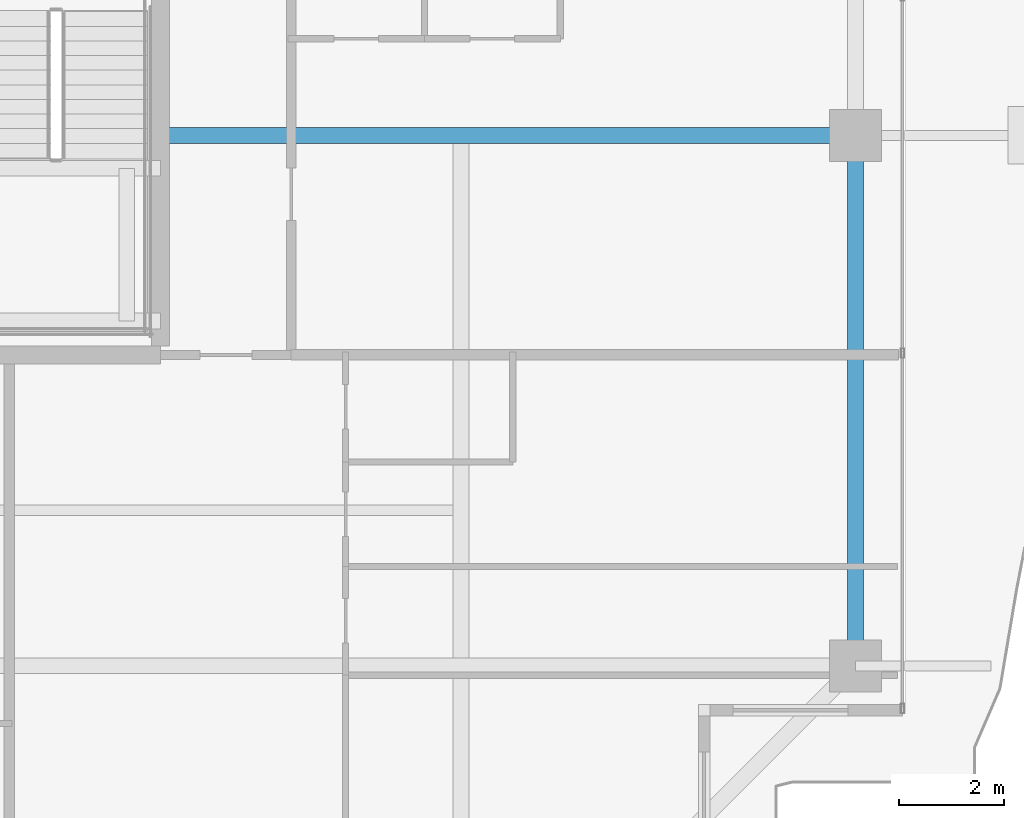
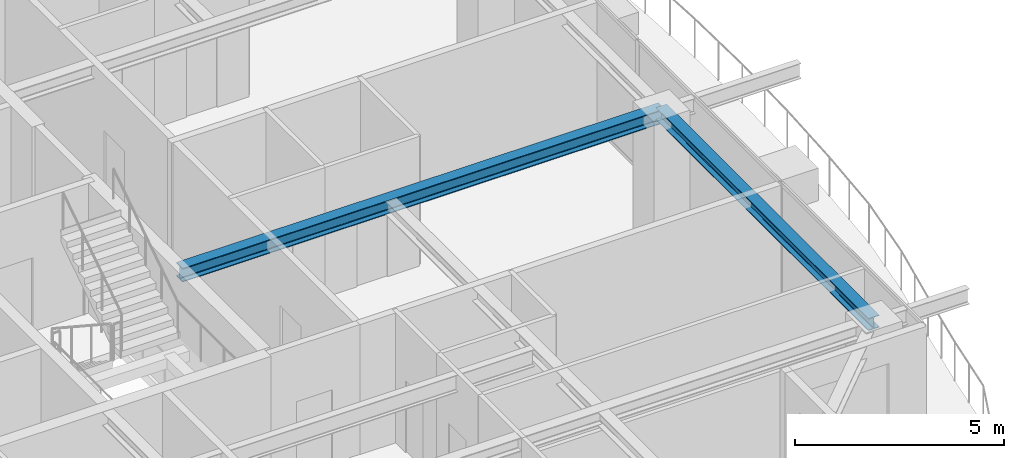
# One storey, part 15 of 42: 2 beams.
"""IFC4 building model written with IfcOpenShell, lengths in metres."""

from ifc_helpers import new_model, si_unit, direction, frame, origin, origin_2d, place, context, subcontext, project, spatial, i_section, extrude, source, transform, mapped, material, material_profile, profile_set, type_object, element, save


model = new_model("IFC4")

# Units and contexts
model_context = context("Model", 3, precision=1e-05, world=origin(), true_north=direction((0.0, 1.0)))
body_context = subcontext(model_context, "Body", "Model", "MODEL_VIEW")
ifc_project = project(units=[si_unit("LENGTHUNIT", "METRE"), si_unit("AREAUNIT", "SQUARE_METRE"), si_unit("VOLUMEUNIT", "CUBIC_METRE"), si_unit("PLANEANGLEUNIT", "RADIAN"), si_unit("MASSUNIT", "GRAM", prefix="KILO")], contexts=[model_context])

# Site, building, storey
site_placement = place(None, origin())
site = spatial("IfcSite", under=ifc_project, at=site_placement, CompositionType="ELEMENT")
building_placement = place(site_placement, origin())
building = spatial("IfcBuilding", under=site, at=building_placement, Name="Serunith Strait Residences", CompositionType="ELEMENT")
storey_placement = place(building_placement, frame((0.0, 0.0, 309.64990234375)))
storey = spatial("IfcBuildingStorey", under=building, at=storey_placement, Name="L77", CompositionType="ELEMENT", Elevation=309.64990234375)

# Beams
ifc_material = material(Name="Steel S355J2", Category="steel")
ifc_material_profile_1 = material_profile(ifc_material, i_section(OverallWidth=0.300048828125, OverallDepth=0.39990234375, WebThickness=0.013427734375, FlangeThickness=0.02392578125, FilletRadius=0.027099609375, at=origin_2d()), Name="HEB 400")
ifc_profile_set_1 = profile_set([ifc_material_profile_1], Name="Steel S355J2")
beam_type_1 = type_object("IfcBeamType", Name="BM-HEB400", PredefinedType="BEAM", material=ifc_profile_set_1)
shared_shape_1 = source(origin(), body_context, "Body", "SweptSolid", [
    extrude(i_section(OverallWidth=0.300048828125, OverallDepth=0.39990234375, WebThickness=0.013427734375, FlangeThickness=0.02392578125, FilletRadius=0.027099609375, at=origin_2d()), origin(), (0.0, 0.0, 1.0), 13.300048828125),
])
beam_1_placement = place(storey_placement, frame((41.39990234375, 21.0, 3.587158203125), z_axis=(1.0, 0.0, 0.0), x_axis=(0.0, 1.0, 0.0)))
element("IfcBeam", 1, at=beam_1_placement, inside=storey, type_object=beam_type_1, Name="L77 Primary Floor Girder TC-E2", PredefinedType="BEAM", context=body_context, shape_type="MappedRepresentation", body=[
    mapped(shared_shape_1, transform((0.0, 0.0, 0.0), scale=1.0)),
])
ifc_material_profile_2 = material_profile(ifc_material, i_section(OverallWidth=0.300048828125, OverallDepth=0.360107421875, WebThickness=0.012451171875, FlangeThickness=0.0224609375, FilletRadius=0.027099609375, at=origin_2d()), Name="HEB 360")
ifc_profile_set_2 = profile_set([ifc_material_profile_2], Name="Steel S355J2")
beam_type_2 = type_object("IfcBeamType", Name="BM-HEB360", PredefinedType="BEAM", material=ifc_profile_set_2)
shared_shape_2 = source(origin(), body_context, "Body", "SweptSolid", [
    extrude(i_section(OverallWidth=0.300048828125, OverallDepth=0.360107421875, WebThickness=0.012451171875, FlangeThickness=0.0224609375, FilletRadius=0.027099609375, at=origin_2d()), origin(), (0.0, 0.0, 1.0), 10.14990234375),
])
beam_2_placement = place(storey_placement, frame((54.699951171875, 10.85009765625, 3.607177734375), z_axis=(0.0, 1.0, 0.0), x_axis=(-1.0, 0.0, 0.0)))
element("IfcBeam", 2, at=beam_2_placement, inside=storey, type_object=beam_type_2, Name="L77 Perimeter Ring Beam 05", PredefinedType="BEAM", context=body_context, shape_type="MappedRepresentation", body=[
    mapped(shared_shape_2, transform((0.0, 0.0, 0.0), scale=1.0)),
])

save(model, "model.ifc")
